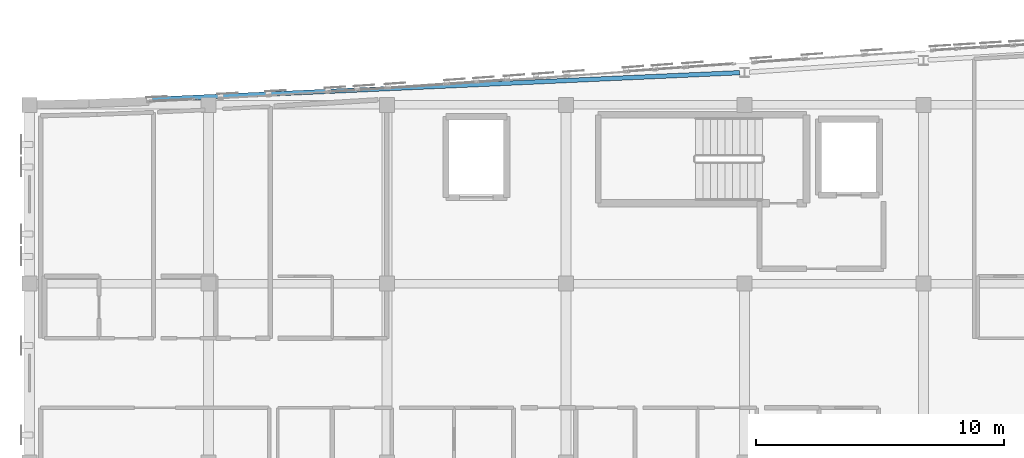
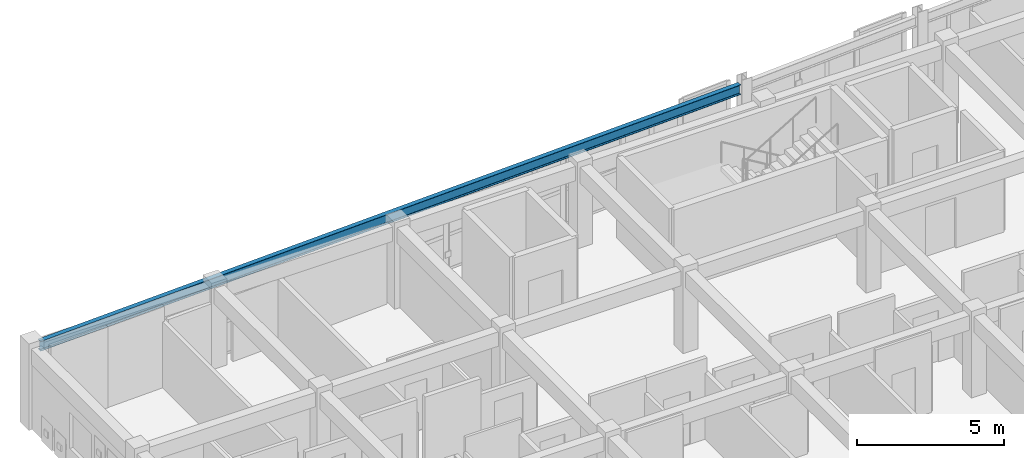
# One storey, part 7 of 45: 1 beam.
"""IFC4 building model written with IfcOpenShell, lengths in metres."""

from ifc_helpers import new_model, si_unit, direction, frame, origin, origin_2d, place, context, subcontext, project, spatial, i_section, extrude, material, material_profile, profile_set, type_object, element, save


model = new_model("IFC4")

# Units and contexts
model_context = context("Model", 3, precision=1e-05, world=origin(), true_north=direction((0.0, 1.0)))
body_context = subcontext(model_context, "Body", "Model", "MODEL_VIEW")
ifc_project = project(units=[si_unit("LENGTHUNIT", "METRE"), si_unit("AREAUNIT", "SQUARE_METRE"), si_unit("VOLUMEUNIT", "CUBIC_METRE"), si_unit("PLANEANGLEUNIT", "RADIAN"), si_unit("MASSUNIT", "GRAM", prefix="KILO")], contexts=[model_context])

# Site, building, storey
site_placement = place(None, origin())
site = spatial("IfcSite", under=ifc_project, at=site_placement, CompositionType="ELEMENT")
building_placement = place(site_placement, origin())
building = spatial("IfcBuilding", under=site, at=building_placement, Name="Carrowvane Square Congress Hotel", CompositionType="ELEMENT")
storey_placement = place(building_placement, frame((0.0, 0.0, 33.60009765625)))
storey = spatial("IfcBuildingStorey", under=building, at=storey_placement, Name="L08", CompositionType="ELEMENT", Elevation=33.60009765625)

# Beam
ifc_material = material(Name="Steel S355", Category="steel")
ifc_material_profile = material_profile(ifc_material, i_section(OverallWidth=0.1787109375, OverallDepth=0.409423828125, WebThickness=0.0087890625, FlangeThickness=0.014404296875, FilletRadius=0.01025390625, at=origin_2d()), Name="UKB 406x178x67")
ifc_profile_set = profile_set([ifc_material_profile], Name="Steel S355")
beam_type = type_object("IfcBeamType", Name="BM-ST-UKB406", PredefinedType="BEAM", material=ifc_profile_set)
beam_placement = place(storey_placement, frame((33.499755859375, 113.41357421875, 3.1552734375), z_axis=(0.99897342042, 0.04530016882, 0.0), x_axis=(-0.04530016882, 0.99897342042, 0.0)))
element("IfcBeam", 1, at=beam_placement, inside=storey, type_object=beam_type, Name="L09 curved north spandrel", PredefinedType="BEAM", context=body_context, shape_type="SweptSolid", body=[
    extrude(i_section(OverallWidth=0.1787109375, OverallDepth=0.409423828125, WebThickness=0.0087890625, FlangeThickness=0.014404296875, FilletRadius=0.01025390625, at=origin_2d()), origin(), (0.0, 0.0, 1.0), 28.33203125),
])

save(model, "model.ifc")
